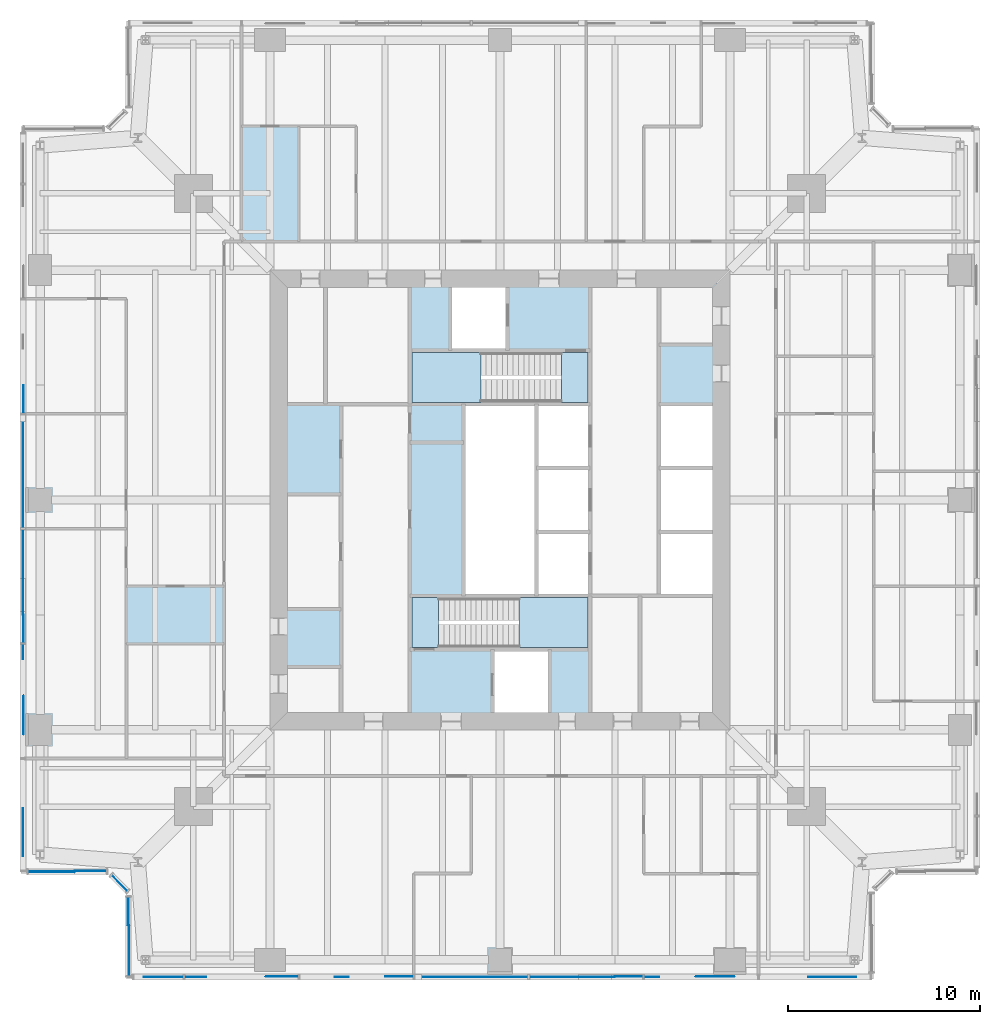
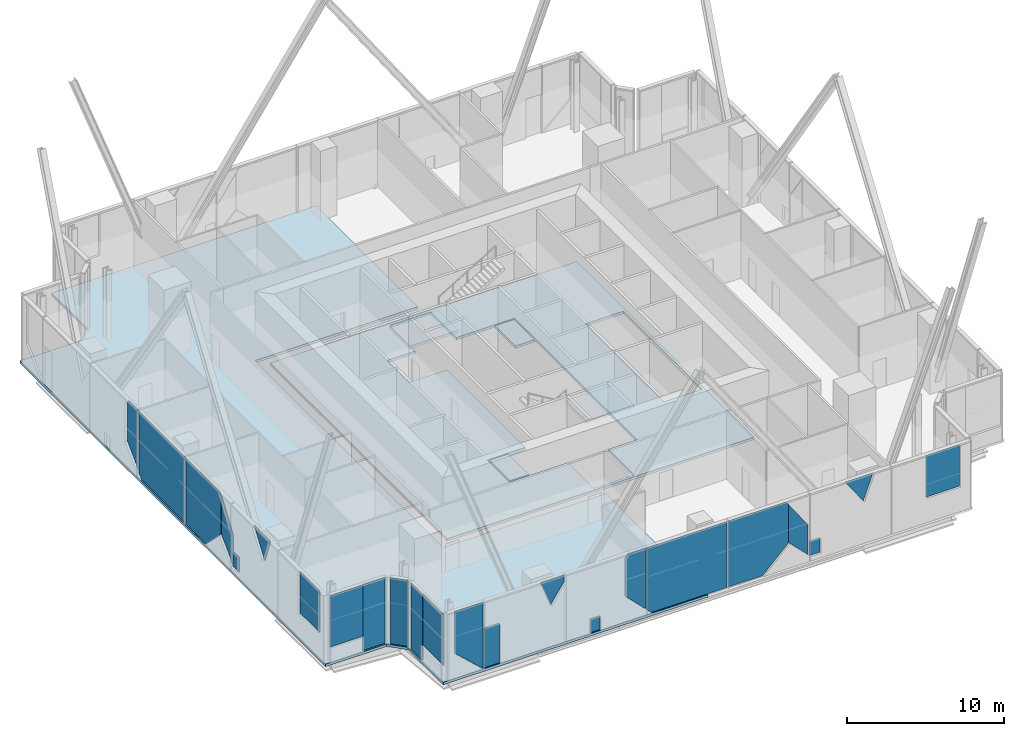
# One storey, part 6 of 14: 23 plates, 6 slabs, 7 elements without a shape of their own.
"""IFC4 building model written with IfcOpenShell, lengths in metres."""

from ifc_helpers import new_model, si_unit, direction, frame, origin, origin_2d, place, context, subcontext, project, spatial, polyline, rectangle, outline, extrude, material, layer, layer_set, type_object, element, aggregate, save


model = new_model("IFC4")

# Units and contexts
model_context = context("Model", 3, precision=1e-05, world=origin(), true_north=direction((0.0, 1.0)))
body_context = subcontext(model_context, "Body", "Model", "MODEL_VIEW")
ifc_project = project(units=[si_unit("LENGTHUNIT", "METRE"), si_unit("AREAUNIT", "SQUARE_METRE"), si_unit("VOLUMEUNIT", "CUBIC_METRE"), si_unit("PLANEANGLEUNIT", "RADIAN"), si_unit("MASSUNIT", "GRAM", prefix="KILO")], contexts=[model_context])

# Site, building, storey
site_placement = place(None, origin())
site = spatial("IfcSite", under=ifc_project, at=site_placement, CompositionType="ELEMENT")
building_placement = place(site_placement, origin())
building = spatial("IfcBuilding", under=site, at=building_placement, Name="Fenwick Lantern Interchange", CompositionType="ELEMENT")
storey_placement = place(building_placement, frame((0.0, 0.0, 168.39990234375)))
storey = spatial("IfcBuildingStorey", under=building, at=storey_placement, Name="L39", CompositionType="ELEMENT", Elevation=168.39990234375)

# Slabs
ifc_material_1 = material(Name="Concrete f'c 35 MPa", Category="concrete")
ifc_layer_1 = layer(ifc_material_1, 0.199951171875)
ifc_layer_set_1 = layer_set([ifc_layer_1], Name="CORE FLOOR SLAB 200")
slab_type_1 = type_object("IfcSlabType", Name="CORE FLOOR SLAB 200", PredefinedType="FLOOR", material=ifc_layer_set_1)
slab_1_placement = place(storey_placement, frame((0.0, 0.0, -0.199951171875)))
element("IfcSlab", 1, at=slab_1_placement, inside=storey, type_object=slab_type_1, Name="L39/SLAB/CORE", PredefinedType="FLOOR", context=body_context, shape_type="SweptSolid", body=[
    extrude(outline(polyline([(13.699951171875, 36.300048828125), (36.300048828125, 36.300048828125), (36.300048828125, 13.699951171875), (13.699951171875, 13.699951171875), (13.699951171875, 36.300048828125)]), holes=[polyline([(24.60009765625, 13.89990234375), (27.60009765625, 13.89990234375), (27.60009765625, 17.199951171875), (29.699951171875, 17.199951171875), (29.699951171875, 20.0), (29.699951171875, 23.333251953125), (29.699951171875, 26.666748046875), (29.699951171875, 30.0), (29.699951171875, 32.800048828125), (25.39990234375, 32.800048828125), (25.39990234375, 36.10009765625), (22.39990234375, 36.10009765625), (22.39990234375, 32.800048828125), (20.300048828125, 32.800048828125), (20.300048828125, 30.0), (23.10009765625, 30.0), (23.10009765625, 20.0), (20.300048828125, 20.0), (20.300048828125, 17.199951171875), (24.60009765625, 17.199951171875), (24.60009765625, 13.89990234375)]), polyline([(33.300048828125, 23.333251953125), (33.300048828125, 20.0), (36.10009765625, 20.0), (36.10009765625, 23.333251953125), (36.10009765625, 26.666748046875), (36.10009765625, 30.0), (33.300048828125, 30.0), (33.300048828125, 26.666748046875), (33.300048828125, 23.333251953125)])]), origin(), (0.0, 0.0, 1.0), 0.199951171875),
])
ifc_material_2 = material(Name="Concrete f'c 35 MPa", Category="concrete")
ifc_layer_2 = layer(ifc_material_2, 0.199951171875)
ifc_layer_set_2 = layer_set([ifc_layer_2], Name="Concrete f'c 35 MPa")
slab_type_2 = type_object("IfcSlabType", Name="FLOOR SLAB 200", PredefinedType="FLOOR", material=ifc_layer_set_2)
slab_2_placement = place(storey_placement, frame((0.0, 0.0, -0.199951171875)))
element("IfcSlab", 2, at=slab_2_placement, inside=storey, type_object=slab_type_2, Name="L39/SLAB/FW", PredefinedType="FLOOR", context=body_context, shape_type="SweptSolid", body=[
    extrude(outline(polyline([(5.5, 0.0), (5.5, 4.5), (4.5, 5.5), (0.0, 5.5), (0.0, 44.5), (4.5, 44.5), (5.5, 45.5), (5.5, 50.0), (25.0, 50.0), (25.0, 37.0), (13.0, 37.0), (13.0, 13.0), (25.0, 13.0), (25.0, 0.0), (5.5, 0.0)])), origin(), (0.0, 0.0, 1.0), 0.199951171875),
])

# Curtain wall, plates
ifc_material_3 = material(Name="Aluminium curtain wall frame", Category="aluminium")
curtain_wall_type = type_object("IfcCurtainWallType", Name="SKY LOBBY GLAZING", PredefinedType="USERDEFINED", material=ifc_material_3)
curtain_wall_1_placement = place(storey_placement, origin())
curtain_wall_1 = element("IfcCurtainWall", 3, at=curtain_wall_1_placement, inside=storey, type_object=curtain_wall_type, Name="Sky lobby glazing 01", ObjectType="SKY LOBBY GLAZING", PredefinedType="USERDEFINED")
ifc_material_4 = material(Name="Vision glass, clear laminated double glazed", Category="glass")
ifc_layer_3 = layer(ifc_material_4, 0.035888671875)
ifc_layer_set_3 = layer_set([ifc_layer_3], Name="SKY LOBBY GLAZING PANEL 36")
plate_type = type_object("IfcPlateType", Name="SKY LOBBY GLAZING PANEL 36", PredefinedType="CURTAIN_PANEL", material=ifc_layer_set_3)
plate_1_placement = place(storey_placement, frame((5.60009765625, 0.10009765625, 0.0), z_axis=(0.0, 0.0, 1.0), x_axis=(1.0, 0.0, 0.0)))
plate_1 = element("IfcPlate", 4, at=plate_1_placement, type_object=plate_type, Name="L39/CW/01/P00a", PredefinedType="CURTAIN_PANEL", context=body_context, shape_type="SweptSolid", body=[
    extrude(outline(polyline([(2.849609375, 0.0), (2.860107421875, 0.0), (2.860107421875, 5.130126953125), (0.79833984375, 5.130126953125), (0.79833984375, 1.8935546875), (2.849609375, 0.0)])), frame((0.0, 0.01806640625, 0.0), z_axis=(0.0, -1.0, 0.0), x_axis=(1.0, 0.0, 0.0)), (0.0, 0.0, 1.0), 0.035888671875),
])
plate_2_placement = place(storey_placement, frame((5.60009765625, 0.10009765625, 0.0), z_axis=(0.0, 0.0, 1.0), x_axis=(1.0, 0.0, 0.0)))
plate_2 = element("IfcPlate", 5, at=plate_2_placement, type_object=plate_type, Name="L39/CW/01/P01a", PredefinedType="CURTAIN_PANEL", context=body_context, shape_type="SweptSolid", body=[
    extrude(outline(polyline([(2.93994140625, 0.0), (4.080078125, 0.0), (4.080078125, 3.069580078125), (2.93994140625, 3.069580078125), (2.93994140625, 0.0)])), frame((0.0, 0.01806640625, 0.0), z_axis=(0.0, -1.0, 0.0), x_axis=(1.0, 0.0, 0.0)), (0.0, 0.0, 1.0), 0.035888671875),
])
plate_3_placement = place(storey_placement, frame((5.60009765625, 0.10009765625, 3.182373046875), z_axis=(0.0, 0.0, 1.0), x_axis=(1.0, 0.0, 0.0)))
plate_3 = element("IfcPlate", 6, at=plate_3_placement, type_object=plate_type, Name="L39/CW/01/P01b", PredefinedType="CURTAIN_PANEL", context=body_context, shape_type="SweptSolid", body=[
    extrude(outline(polyline([(7.878662109375, 0.0), (8.860107421875, 1.4306640625), (8.860107421875, 1.94775390625), (7.15478515625, 1.94775390625), (7.878662109375, 0.0)])), frame((0.0, 0.05615234375, 0.0), z_axis=(0.0, -1.0, 0.0), x_axis=(1.0, 0.0, 0.0)), (0.0, 0.0, 1.0), 0.035888671875),
])
plate_4_placement = place(storey_placement, frame((5.60009765625, 0.10009765625, 0.0), z_axis=(0.0, 0.0, 1.0), x_axis=(1.0, 0.0, 0.0)))
plate_4 = element("IfcPlate", 7, at=plate_4_placement, type_object=plate_type, Name="L39/CW/01/P02a", PredefinedType="CURTAIN_PANEL", context=body_context, shape_type="SweptSolid", body=[
    extrude(outline(polyline([(10.781005859375, 0.0), (11.5009765625, 0.0), (11.5009765625, 1.049560546875), (10.781005859375, 1.049560546875), (10.781005859375, 0.0)])), frame((0.0, 0.01806640625, 0.0), z_axis=(0.0, -1.0, 0.0), x_axis=(1.0, 0.0, 0.0)), (0.0, 0.0, 1.0), 0.035888671875),
])
plate_5_placement = place(storey_placement, frame((5.60009765625, 0.10009765625, 0.435791015625), z_axis=(0.0, 0.0, 1.0), x_axis=(1.0, 0.0, 0.0)))
plate_5 = element("IfcPlate", 8, at=plate_5_placement, type_object=plate_type, Name="L39/CW/01/P02b", PredefinedType="CURTAIN_PANEL", context=body_context, shape_type="SweptSolid", body=[
    extrude(outline(polyline([(14.860107421875, 0.0), (14.860107421875, 4.6943359375), (13.58056640625, 4.6943359375), (13.39990234375, 4.43115234375), (13.39990234375, 1.4599609375), (14.860107421875, 0.0)])), frame((0.0, 0.05615234375, 0.0), z_axis=(0.0, -1.0, 0.0), x_axis=(1.0, 0.0, 0.0)), (0.0, 0.0, 1.0), 0.035888671875),
])
plate_6_placement = place(storey_placement, frame((5.60009765625, 0.10009765625, 0.0), z_axis=(0.0, 0.0, 1.0), x_axis=(1.0, 0.0, 0.0)))
plate_6 = element("IfcPlate", 9, at=plate_6_placement, type_object=plate_type, Name="L39/CW/01/P03a", PredefinedType="CURTAIN_PANEL", context=body_context, shape_type="SweptSolid", body=[
    extrude(outline(polyline([(15.295654296875, 0.0), (20.860107421875, 0.0), (20.860107421875, 5.130126953125), (14.93994140625, 5.130126953125), (14.93994140625, 0.355712890625), (15.295654296875, 0.0)])), frame((0.0, 0.01806640625, 0.0), z_axis=(0.0, -1.0, 0.0), x_axis=(1.0, 0.0, 0.0)), (0.0, 0.0, 1.0), 0.035888671875),
])
plate_7_placement = place(storey_placement, frame((5.60009765625, 0.10009765625, 0.0), z_axis=(0.0, 0.0, 1.0), x_axis=(1.0, 0.0, 0.0)))
plate_7 = element("IfcPlate", 10, at=plate_7_placement, type_object=plate_type, Name="L39/CW/01/P04a", PredefinedType="CURTAIN_PANEL", context=body_context, shape_type="SweptSolid", body=[
    extrude(outline(polyline([(20.93994140625, 0.0), (23.50439453125, 0.0), (25.39990234375, 1.895751953125), (25.39990234375, 4.866943359375), (25.219482421875, 5.130126953125), (20.93994140625, 5.130126953125), (20.93994140625, 0.0)])), frame((0.0, 0.01806640625, 0.0), z_axis=(0.0, -1.0, 0.0), x_axis=(1.0, 0.0, 0.0)), (0.0, 0.0, 1.0), 0.035888671875),
])
plate_8_placement = place(storey_placement, frame((5.60009765625, 0.10009765625, 0.435791015625), z_axis=(0.0, 0.0, 1.0), x_axis=(1.0, 0.0, 0.0)))
plate_8 = element("IfcPlate", 11, at=plate_8_placement, type_object=plate_type, Name="L39/CW/01/P04b", PredefinedType="CURTAIN_PANEL", context=body_context, shape_type="SweptSolid", body=[
    extrude(outline(polyline([(26.860107421875, 0.0), (26.860107421875, 2.302978515625), (25.39990234375, 4.43115234375), (25.39990234375, 1.4599609375), (26.860107421875, 0.0)])), frame((0.0, 0.05615234375, 0.0), z_axis=(0.0, -1.0, 0.0), x_axis=(1.0, 0.0, 0.0)), (0.0, 0.0, 1.0), 0.035888671875),
])
plate_9_placement = place(storey_placement, frame((5.60009765625, 0.10009765625, 0.355712890625), z_axis=(0.0, 0.0, 1.0), x_axis=(1.0, 0.0, 0.0)))
plate_9 = element("IfcPlate", 12, at=plate_9_placement, type_object=plate_type, Name="L39/CW/01/P05a", PredefinedType="CURTAIN_PANEL", context=body_context, shape_type="SweptSolid", body=[
    extrude(outline(polyline([(26.93994140625, 0.0), (27.715087890625, 0.0), (27.715087890625, 1.13671875), (26.93994140625, 1.13671875), (26.93994140625, 0.0)])), frame((0.0, 0.01806640625, 0.0), z_axis=(0.0, -1.0, 0.0), x_axis=(1.0, 0.0, 0.0)), (0.0, 0.0, 1.0), 0.035888671875),
])
plate_10_placement = place(storey_placement, frame((5.60009765625, 0.10009765625, 3.182373046875), z_axis=(0.0, 0.0, 1.0), x_axis=(1.0, 0.0, 0.0)))
plate_10 = element("IfcPlate", 13, at=plate_10_placement, type_object=plate_type, Name="L39/CW/01/P05b", PredefinedType="CURTAIN_PANEL", context=body_context, shape_type="SweptSolid", body=[
    extrude(outline(polyline([(30.92138671875, 0.0), (31.645263671875, 1.94775390625), (29.585205078125, 1.94775390625), (30.92138671875, 0.0)])), frame((0.0, 0.05615234375, 0.0), z_axis=(0.0, -1.0, 0.0), x_axis=(1.0, 0.0, 0.0)), (0.0, 0.0, 1.0), 0.035888671875),
])
plate_11_placement = place(storey_placement, frame((5.60009765625, 0.10009765625, 1.8935546875), z_axis=(0.0, 0.0, 1.0), x_axis=(1.0, 0.0, 0.0)))
plate_11 = element("IfcPlate", 14, at=plate_11_placement, type_object=plate_type, Name="L39/CW/01/P06a", PredefinedType="CURTAIN_PANEL", context=body_context, shape_type="SweptSolid", body=[
    extrude(outline(polyline([(35.4892578125, 0.0), (38.001708984375, 0.0), (38.001708984375, 3.236572265625), (35.4892578125, 3.236572265625), (35.4892578125, 0.0)])), frame((0.0, 0.01806640625, 0.0), z_axis=(0.0, -1.0, 0.0), x_axis=(1.0, 0.0, 0.0)), (0.0, 0.0, 1.0), 0.035888671875),
])
aggregate(curtain_wall_1, [plate_1, plate_2, plate_3, plate_4, plate_5, plate_6, plate_7, plate_8, plate_9, plate_10, plate_11])

curtain_wall_2_placement = place(storey_placement, origin())
curtain_wall_2 = element("IfcCurtainWall", 15, at=curtain_wall_2_placement, inside=storey, type_object=curtain_wall_type, Name="Sky lobby glazing 13", ObjectType="SKY LOBBY GLAZING", PredefinedType="USERDEFINED")
plate_12_placement = place(storey_placement, frame((0.10009765625, 44.39990234375, 0.435791015625), z_axis=(0.0, 0.0, 1.0), x_axis=(0.0, -1.0, 0.0)))
plate_12 = element("IfcPlate", 16, at=plate_12_placement, type_object=plate_type, Name="L39/CW/13/P02b", PredefinedType="CURTAIN_PANEL", context=body_context, shape_type="SweptSolid", body=[
    extrude(outline(polyline([(14.860107421875, 0.0), (14.860107421875, 4.6943359375), (13.58056640625, 4.6943359375), (13.39990234375, 4.43115234375), (13.39990234375, 1.4599609375), (14.860107421875, 0.0)])), frame((0.0, 0.05615234375, 0.0), z_axis=(0.0, -1.0, 0.0), x_axis=(1.0, 0.0, 0.0)), (0.0, 0.0, 1.0), 0.035888671875),
])
plate_13_placement = place(storey_placement, frame((0.10009765625, 44.39990234375, 0.0), z_axis=(0.0, 0.0, 1.0), x_axis=(0.0, -1.0, 0.0)))
plate_13 = element("IfcPlate", 17, at=plate_13_placement, type_object=plate_type, Name="L39/CW/13/P03a", PredefinedType="CURTAIN_PANEL", context=body_context, shape_type="SweptSolid", body=[
    extrude(outline(polyline([(15.295654296875, 0.0), (20.860107421875, 0.0), (20.860107421875, 5.130126953125), (14.93994140625, 5.130126953125), (14.93994140625, 0.355712890625), (15.295654296875, 0.0)])), frame((0.0, 0.01806640625, 0.0), z_axis=(0.0, -1.0, 0.0), x_axis=(1.0, 0.0, 0.0)), (0.0, 0.0, 1.0), 0.035888671875),
])
plate_14_placement = place(storey_placement, frame((0.10009765625, 44.39990234375, 0.0), z_axis=(0.0, 0.0, 1.0), x_axis=(0.0, -1.0, 0.0)))
plate_14 = element("IfcPlate", 18, at=plate_14_placement, type_object=plate_type, Name="L39/CW/13/P04a", PredefinedType="CURTAIN_PANEL", context=body_context, shape_type="SweptSolid", body=[
    extrude(outline(polyline([(20.93994140625, 0.0), (23.50439453125, 0.0), (25.39990234375, 1.895751953125), (25.39990234375, 4.866943359375), (25.219482421875, 5.130126953125), (20.93994140625, 5.130126953125), (20.93994140625, 0.0)])), frame((0.0, 0.01806640625, 0.0), z_axis=(0.0, -1.0, 0.0), x_axis=(1.0, 0.0, 0.0)), (0.0, 0.0, 1.0), 0.035888671875),
])
plate_15_placement = place(storey_placement, frame((0.10009765625, 44.39990234375, 0.435791015625), z_axis=(0.0, 0.0, 1.0), x_axis=(0.0, -1.0, 0.0)))
plate_15 = element("IfcPlate", 19, at=plate_15_placement, type_object=plate_type, Name="L39/CW/13/P04b", PredefinedType="CURTAIN_PANEL", context=body_context, shape_type="SweptSolid", body=[
    extrude(outline(polyline([(26.860107421875, 0.0), (26.860107421875, 2.302978515625), (25.39990234375, 4.43115234375), (25.39990234375, 1.4599609375), (26.860107421875, 0.0)])), frame((0.0, 0.05615234375, 0.0), z_axis=(0.0, -1.0, 0.0), x_axis=(1.0, 0.0, 0.0)), (0.0, 0.0, 1.0), 0.035888671875),
])
plate_16_placement = place(storey_placement, frame((0.10009765625, 44.39990234375, 0.355712890625), z_axis=(0.0, 0.0, 1.0), x_axis=(0.0, -1.0, 0.0)))
plate_16 = element("IfcPlate", 20, at=plate_16_placement, type_object=plate_type, Name="L39/CW/13/P05a", PredefinedType="CURTAIN_PANEL", context=body_context, shape_type="SweptSolid", body=[
    extrude(outline(polyline([(26.93994140625, 0.0), (27.715087890625, 0.0), (27.715087890625, 1.13671875), (26.93994140625, 1.13671875), (26.93994140625, 0.0)])), frame((0.0, 0.01806640625, 0.0), z_axis=(0.0, -1.0, 0.0), x_axis=(1.0, 0.0, 0.0)), (0.0, 0.0, 1.0), 0.035888671875),
])
plate_17_placement = place(storey_placement, frame((0.10009765625, 44.39990234375, 3.182373046875), z_axis=(0.0, 0.0, 1.0), x_axis=(0.0, -1.0, 0.0)))
plate_17 = element("IfcPlate", 21, at=plate_17_placement, type_object=plate_type, Name="L39/CW/13/P05b", PredefinedType="CURTAIN_PANEL", context=body_context, shape_type="SweptSolid", body=[
    extrude(outline(polyline([(30.92138671875, 0.0), (31.645263671875, 1.94775390625), (29.585205078125, 1.94775390625), (30.92138671875, 0.0)])), frame((0.0, 0.05615234375, 0.0), z_axis=(0.0, -1.0, 0.0), x_axis=(1.0, 0.0, 0.0)), (0.0, 0.0, 1.0), 0.035888671875),
])
plate_18_placement = place(storey_placement, frame((0.10009765625, 44.39990234375, 1.8935546875), z_axis=(0.0, 0.0, 1.0), x_axis=(0.0, -1.0, 0.0)))
plate_18 = element("IfcPlate", 22, at=plate_18_placement, type_object=plate_type, Name="L39/CW/13/P06a", PredefinedType="CURTAIN_PANEL", context=body_context, shape_type="SweptSolid", body=[
    extrude(outline(polyline([(35.4892578125, 0.0), (38.001708984375, 0.0), (38.001708984375, 3.236572265625), (35.4892578125, 3.236572265625), (35.4892578125, 0.0)])), frame((0.0, 0.01806640625, 0.0), z_axis=(0.0, -1.0, 0.0), x_axis=(1.0, 0.0, 0.0)), (0.0, 0.0, 1.0), 0.035888671875),
])
aggregate(curtain_wall_2, [plate_12, plate_13, plate_14, plate_15, plate_16, plate_17, plate_18])

curtain_wall_3_placement = place(storey_placement, origin())
curtain_wall_3 = element("IfcCurtainWall", 23, at=curtain_wall_3_placement, inside=storey, type_object=curtain_wall_type, Name="Sky lobby glazing 14", ObjectType="SKY LOBBY GLAZING", PredefinedType="USERDEFINED")
plate_19_placement = place(storey_placement, frame((0.10009765625, 5.60009765625, 1.150146484375), z_axis=(0.0, 0.0, 1.0), x_axis=(1.0, 0.0, 0.0)))
plate_19 = element("IfcPlate", 24, at=plate_19_placement, type_object=plate_type, Name="L39/CW/14/P00a", PredefinedType="CURTAIN_PANEL", context=body_context, shape_type="SweptSolid", body=[
    extrude(outline(polyline([(0.280029296875, 0.0), (2.699951171875, 0.0), (2.699951171875, 3.97998046875), (0.280029296875, 3.97998046875), (0.280029296875, 0.0)])), frame((0.0, 0.01806640625, 0.0), z_axis=(0.0, -1.0, 0.0), x_axis=(1.0, 0.0, 0.0)), (0.0, 0.0, 1.0), 0.035888671875),
])
plate_20_placement = place(storey_placement, frame((0.10009765625, 5.60009765625, 0.0), z_axis=(0.0, 0.0, 1.0), x_axis=(1.0, 0.0, 0.0)))
plate_20 = element("IfcPlate", 25, at=plate_20_placement, type_object=plate_type, Name="L39/CW/14/P00b", PredefinedType="CURTAIN_PANEL", context=body_context, shape_type="SweptSolid", body=[
    extrude(outline(polyline([(2.699951171875, 0.0), (4.361328125, 0.0), (4.361328125, 5.130126953125), (2.699951171875, 5.130126953125), (2.699951171875, 0.0)])), frame((0.0, 0.05615234375, 0.0), z_axis=(0.0, -1.0, 0.0), x_axis=(1.0, 0.0, 0.0)), (0.0, 0.0, 1.0), 0.035888671875),
])
aggregate(curtain_wall_3, [plate_19, plate_20])

# Curtain wall, plate
curtain_wall_4_placement = place(storey_placement, origin())
curtain_wall_4 = element("IfcCurtainWall", 26, at=curtain_wall_4_placement, inside=storey, type_object=curtain_wall_type, Name="Sky lobby glazing 15", ObjectType="SKY LOBBY GLAZING", PredefinedType="USERDEFINED")
plate_21_placement = place(storey_placement, frame((5.141357421875, 5.0, 0.000244140625), z_axis=(0.0, 0.0, 1.0), x_axis=(0.707106781187, -0.707106781187, 0.0)))
plate_21 = element("IfcPlate", 27, at=plate_21_placement, type_object=plate_type, Name="L39/CW/15/P00", PredefinedType="CURTAIN_PANEL", context=body_context, shape_type="SweptSolid", body=[
    extrude(rectangle(XDim=1.136962890625, YDim=0.035888671875, at=origin_2d()), origin(), (0.0, 0.0, 1.0), 5.1298828125),
])
aggregate(curtain_wall_4, [plate_21])

# Curtain wall, plates
curtain_wall_5_placement = place(storey_placement, origin())
curtain_wall_5 = element("IfcCurtainWall", 28, at=curtain_wall_5_placement, inside=storey, type_object=curtain_wall_type, Name="Sky lobby glazing 16", ObjectType="SKY LOBBY GLAZING", PredefinedType="USERDEFINED")
plate_22_placement = place(storey_placement, frame((5.60009765625, 4.54150390625, 0.0), z_axis=(0.0, 0.0, 1.0), x_axis=(0.0, -1.0, 0.0)))
plate_22 = element("IfcPlate", 29, at=plate_22_placement, type_object=plate_type, Name="L39/CW/16/P00a", PredefinedType="CURTAIN_PANEL", context=body_context, shape_type="SweptSolid", body=[
    extrude(outline(polyline([(0.280029296875, 0.0), (1.741455078125, 0.0), (1.741455078125, 5.130126953125), (0.280029296875, 5.130126953125), (0.280029296875, 0.0)])), frame((0.0, 0.01806640625, 0.0), z_axis=(0.0, -1.0, 0.0), x_axis=(1.0, 0.0, 0.0)), (0.0, 0.0, 1.0), 0.035888671875),
])
plate_23_placement = place(storey_placement, frame((5.60009765625, 4.54150390625, 1.150146484375), z_axis=(0.0, 0.0, 1.0), x_axis=(0.0, -1.0, 0.0)))
plate_23 = element("IfcPlate", 30, at=plate_23_placement, type_object=plate_type, Name="L39/CW/16/P00b", PredefinedType="CURTAIN_PANEL", context=body_context, shape_type="SweptSolid", body=[
    extrude(outline(polyline([(1.741455078125, 0.0), (4.361328125, 0.0), (4.361328125, 3.97998046875), (1.741455078125, 3.97998046875), (1.741455078125, 0.0)])), frame((0.0, 0.05615234375, 0.0), z_axis=(0.0, -1.0, 0.0), x_axis=(1.0, 0.0, 0.0)), (0.0, 0.0, 1.0), 0.035888671875),
])
aggregate(curtain_wall_5, [plate_22, plate_23])

# Stair, slabs
ifc_material_5 = material(Name="Precast concrete f'c 35 MPa", Category="concrete")
stair_type = type_object("IfcStairType", Name="EXIT STAIR 1200", PredefinedType="HALF_TURN_STAIR", material=ifc_material_5)
stair_1_placement = place(storey_placement, origin())
stair_1 = element("IfcStair", 31, at=stair_1_placement, inside=storey, type_object=stair_type, Name="Exit stair ST1", PredefinedType="HALF_TURN_STAIR")
ifc_layer_4 = layer(ifc_material_1, 0.199951171875)
ifc_layer_set_4 = layer_set([ifc_layer_4], Name="STAIR LANDING 200")
slab_type_3 = type_object("IfcSlabType", Name="STAIR LANDING 200", PredefinedType="LANDING", material=ifc_layer_set_4)
slab_3_placement = place(storey_placement, frame((0.0, 0.0, 2.5)))
slab_3 = element("IfcSlab", 32, at=slab_3_placement, type_object=slab_type_3, Name="ST1 landing 1", PredefinedType="LANDING", context=body_context, shape_type="SweptSolid", body=[
    extrude(outline(polyline([(26.0, 17.300048828125), (29.60009765625, 17.300048828125), (29.60009765625, 19.89990234375), (26.0, 19.89990234375), (26.0, 17.300048828125)])), origin(), (0.0, 0.0, 1.0), 0.2001953125),
])
slab_4_placement = place(storey_placement, frame((0.0, 0.0, -0.199951171875)))
slab_4 = element("IfcSlab", 33, at=slab_4_placement, type_object=slab_type_3, Name="ST1 landing 2", PredefinedType="LANDING", context=body_context, shape_type="SweptSolid", body=[
    extrude(outline(polyline([(20.39990234375, 17.300048828125), (21.800048828125, 17.300048828125), (21.800048828125, 19.89990234375), (20.39990234375, 19.89990234375), (20.39990234375, 17.300048828125)])), origin(), (0.0, 0.0, 1.0), 0.199951171875),
])
aggregate(stair_1, [slab_3, slab_4])

stair_2_placement = place(storey_placement, origin())
stair_2 = element("IfcStair", 34, at=stair_2_placement, inside=storey, type_object=stair_type, Name="Exit stair ST2", PredefinedType="HALF_TURN_STAIR")
slab_5_placement = place(storey_placement, frame((0.0, 0.0, 2.5)))
slab_5 = element("IfcSlab", 35, at=slab_5_placement, type_object=slab_type_3, Name="ST2 landing 1", PredefinedType="LANDING", context=body_context, shape_type="SweptSolid", body=[
    extrude(outline(polyline([(24.0, 32.699951171875), (20.39990234375, 32.699951171875), (20.39990234375, 30.10009765625), (24.0, 30.10009765625), (24.0, 32.699951171875)])), origin(), (0.0, 0.0, 1.0), 0.2001953125),
])
slab_6_placement = place(storey_placement, frame((0.0, 0.0, -0.199951171875)))
slab_6 = element("IfcSlab", 36, at=slab_6_placement, type_object=slab_type_3, Name="ST2 landing 2", PredefinedType="LANDING", context=body_context, shape_type="SweptSolid", body=[
    extrude(outline(polyline([(29.60009765625, 32.699951171875), (28.199951171875, 32.699951171875), (28.199951171875, 30.10009765625), (29.60009765625, 30.10009765625), (29.60009765625, 32.699951171875)])), origin(), (0.0, 0.0, 1.0), 0.199951171875),
])
aggregate(stair_2, [slab_5, slab_6])

save(model, "model.ifc")
